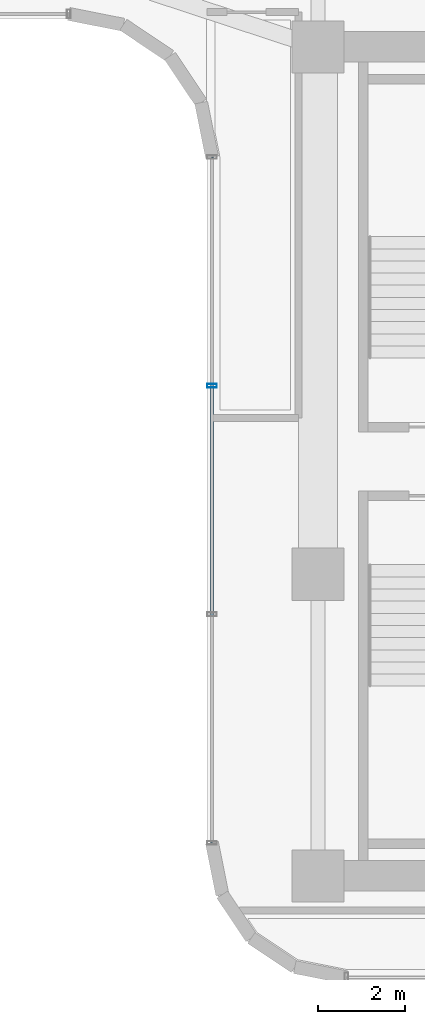
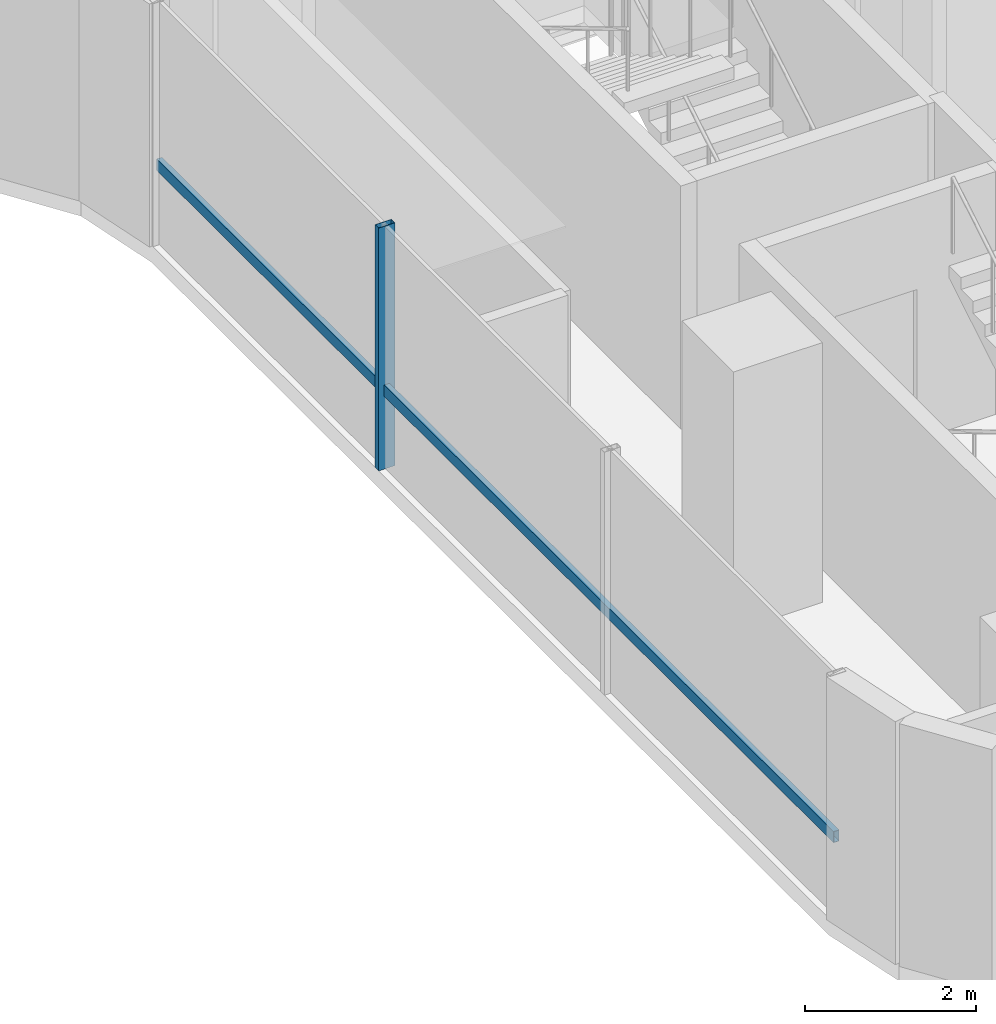
# One storey, part 14 of 34: 2 members, 1 element without a shape of its own.
"""IFC4 building model written with IfcOpenShell, lengths in metres."""

from ifc_helpers import new_model, si_unit, direction, frame, origin, origin_2d, place, context, subcontext, project, spatial, hollow_rectangle, extrude, source, transform, mapped, material, material_profile, profile_set, type_object, element, aggregate, save


model = new_model("IFC4")

# Units and contexts
model_context = context("Model", 3, precision=1e-05, world=origin(), true_north=direction((0.0, 1.0)))
body_context = subcontext(model_context, "Body", "Model", "MODEL_VIEW")
ifc_project = project(units=[si_unit("LENGTHUNIT", "METRE"), si_unit("AREAUNIT", "SQUARE_METRE"), si_unit("VOLUMEUNIT", "CUBIC_METRE"), si_unit("PLANEANGLEUNIT", "RADIAN"), si_unit("MASSUNIT", "GRAM", prefix="KILO")], contexts=[model_context])

# Site, building, storey
site_placement = place(None, origin())
site = spatial("IfcSite", under=ifc_project, at=site_placement, CompositionType="ELEMENT")
building_placement = place(site_placement, origin())
building = spatial("IfcBuilding", under=site, at=building_placement, Name="Valdorenza Pilgrim Sanctuary Tower", CompositionType="ELEMENT")
storey_placement = place(building_placement, frame((0.0, 0.0, 120.5)))
storey = spatial("IfcBuildingStorey", under=building, at=storey_placement, Name="L30", CompositionType="ELEMENT", Elevation=120.5)

# Curtain wall, members
ifc_material_1 = material(Name="Curtain-wall IGU glazing", Category="glass")
curtain_wall_type = type_object("IfcCurtainWallType", Name="CW-SYS-03", PredefinedType="NOTDEFINED", material=ifc_material_1)
curtain_wall_placement = place(storey_placement, origin())
curtain_wall = element("IfcCurtainWall", 1, at=curtain_wall_placement, inside=storey, type_object=curtain_wall_type, Name="L30 Curtain Wall CW-L30-1-31", PredefinedType="NOTDEFINED")
ifc_material_2 = material(Name="Anodised aluminium AW-6060", Category="aluminium")
ifc_material_profile_1 = material_profile(ifc_material_2, hollow_rectangle(XDim=0.0849609375, YDim=0.219970703125, WallThickness=0.0048828125, at=origin_2d()), Name="ALU-M 220x85x5")
ifc_profile_set_1 = profile_set([ifc_material_profile_1], Name="Anodised aluminium AW-6060")
member_type_1 = type_object("IfcMemberType", Name="CW-MUL-03", PredefinedType="MULLION", material=ifc_profile_set_1)
shared_shape_1 = source(origin(), body_context, "Body", "SweptSolid", [
    extrude(hollow_rectangle(XDim=0.0849609375, YDim=0.219970703125, WallThickness=0.0048828125, at=origin_2d()), origin(), (0.0, 0.0, 1.0), 3.4599609375),
])
member_1_placement = place(storey_placement, frame((13.409912109375, 1.744140625, 0.0), z_axis=(0.0, 0.0, 1.0), x_axis=(0.0, 1.0, 0.0)))
member_1 = element("IfcMember", 2, at=member_1_placement, type_object=member_type_1, Name="CW-L30-1-31 Mullion 3", PredefinedType="MULLION", context=body_context, shape_type="MappedRepresentation", body=[
    mapped(shared_shape_1, transform((0.0, 0.0, 0.0), x_axis=(1.0, 0.0, 0.0), y_axis=(0.0, 1.0, 0.0), z_axis=(0.0, 0.0, 1.0), scale=1.0)),
])
ifc_material_profile_2 = material_profile(ifc_material_2, hollow_rectangle(XDim=0.074951171875, YDim=0.159912109375, WallThickness=0.00390625, at=origin_2d()), Name="ALU-T 160x75x4")
ifc_profile_set_2 = profile_set([ifc_material_profile_2], Name="Anodised aluminium AW-6060")
member_type_2 = type_object("IfcMemberType", Name="CW-TRN-03", PredefinedType="USERDEFINED", material=ifc_profile_set_2)
shared_shape_2 = source(origin(), body_context, "Body", "SweptSolid", [
    extrude(hollow_rectangle(XDim=0.074951171875, YDim=0.159912109375, WallThickness=0.00390625, at=origin_2d()), origin(), (0.0, 0.0, 1.0), 15.800048828125),
])
member_2_placement = place(storey_placement, frame((13.409912109375, -8.789306640625, 1.1201171875), z_axis=(0.0, 1.0, 0.0), x_axis=(-1.0, 0.0, 0.0)))
member_2 = element("IfcMember", 3, at=member_2_placement, type_object=member_type_2, Name="CW-L30-1-31 Transom 1", ObjectType="TRANSOM", PredefinedType="USERDEFINED", context=body_context, shape_type="MappedRepresentation", body=[
    mapped(shared_shape_2, transform((0.0, 0.0, 0.0), x_axis=(1.0, 0.0, 0.0), y_axis=(0.0, 1.0, 0.0), z_axis=(0.0, 0.0, 1.0), scale=1.0)),
])
aggregate(curtain_wall, [member_1, member_2])

save(model, "model.ifc")
